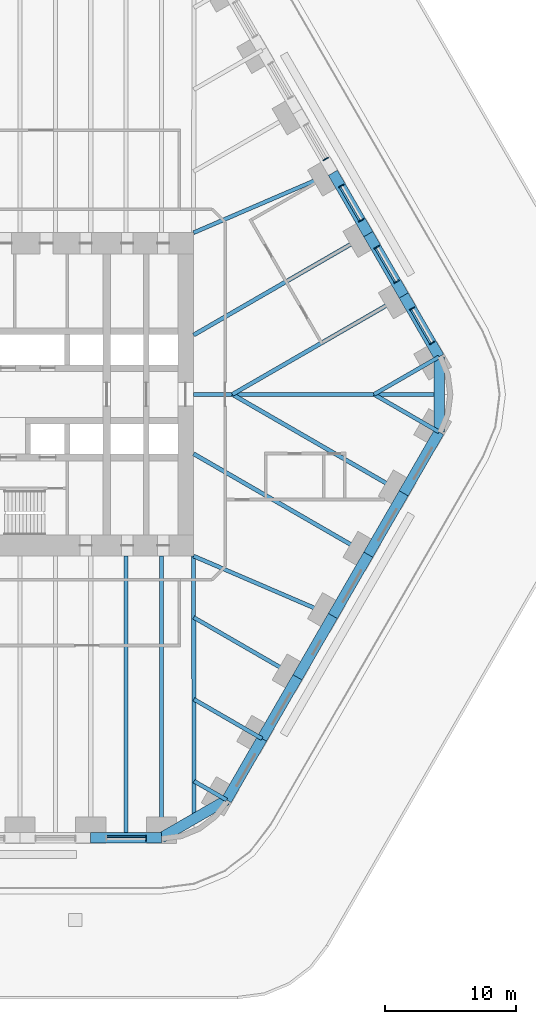
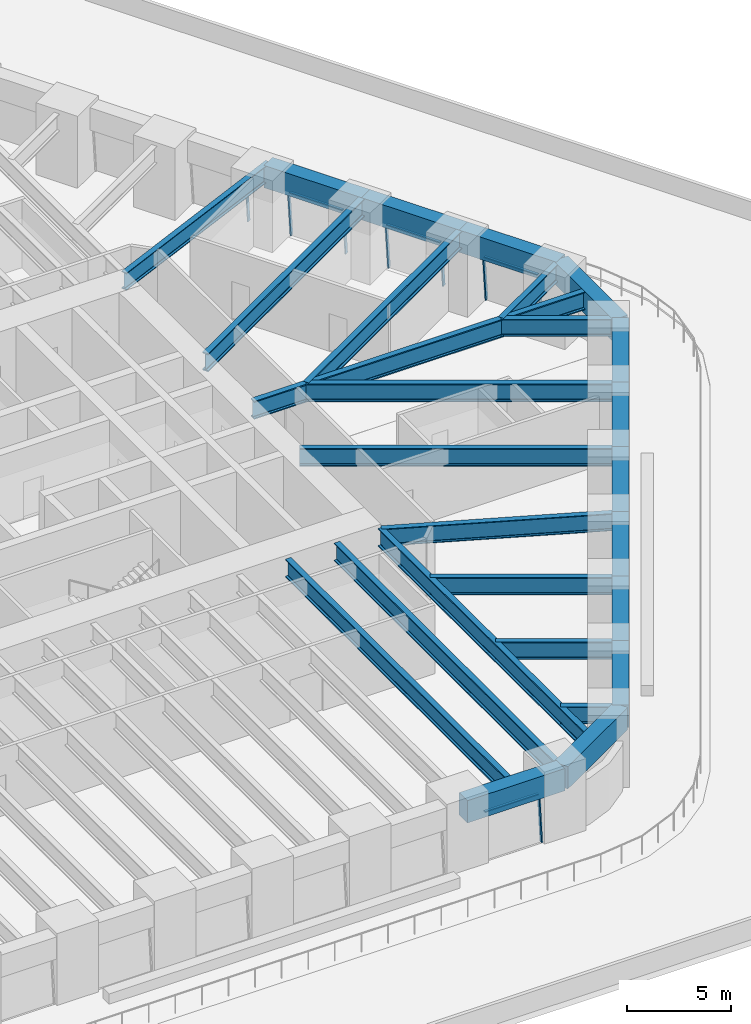
# One storey, part 4 of 17: 27 beams, 12 members, 5 elements without a shape of their own.
"""IFC4 building model written with IfcOpenShell, lengths in metres."""

from ifc_helpers import new_model, si_unit, direction, frame, origin, origin_2d, place, context, subcontext, project, spatial, rectangle, i_section, extrude, material, material_profile, profile_set, type_object, element, aggregate, save


model = new_model("IFC4")

# Units and contexts
model_context = context("Model", 3, precision=1e-05, world=origin(), true_north=direction((0.0, 1.0)))
body_context = subcontext(model_context, "Body", "Model", "MODEL_VIEW")
ifc_project = project(units=[si_unit("LENGTHUNIT", "METRE"), si_unit("AREAUNIT", "SQUARE_METRE"), si_unit("VOLUMEUNIT", "CUBIC_METRE"), si_unit("PLANEANGLEUNIT", "RADIAN"), si_unit("MASSUNIT", "GRAM", prefix="KILO")], contexts=[model_context])

# Site, building, storey
site_placement = place(None, origin())
site = spatial("IfcSite", under=ifc_project, at=site_placement, CompositionType="ELEMENT")
building_placement = place(site_placement, origin())
building = spatial("IfcBuilding", under=site, at=building_placement, Name="Tarfa Lantern Tower", CompositionType="ELEMENT")
storey_placement = place(building_placement, frame((0.0, 0.0, 23.5)))
storey = spatial("IfcBuildingStorey", under=building, at=storey_placement, Name="L04", CompositionType="ELEMENT", Elevation=23.5)

# Curtain wall, members
ifc_material_1 = material(Name="Aluminium framed curtain wall", Category="aluminium")
curtain_wall_type = type_object("IfcCurtainWallType", Name="CW1 CANTED GLAZING LOW ZONE 2700", PredefinedType="USERDEFINED", material=ifc_material_1)
curtain_wall_1_placement = place(storey_placement, origin())
curtain_wall_1 = element("IfcCurtainWall", 1, at=curtain_wall_1_placement, inside=storey, type_object=curtain_wall_type, Name="CW1 NE L04", ObjectType="CURTAIN WALL", PredefinedType="USERDEFINED")
ifc_material_2 = material(Name="Aluminium mullion", Category="aluminium")
ifc_material_profile_1 = material_profile(ifc_material_2, rectangle(XDim=0.06494140625, YDim=0.199951171875, at=origin_2d()), Name="AL MULLION 65x200")
ifc_profile_set_1 = profile_set([ifc_material_profile_1], Name="Aluminium mullion")
member_type_1 = type_object("IfcMemberType", Name="CWM1 MULLION 65x200", PredefinedType="MULLION", material=ifc_profile_set_1)
member_1_placement = place(storey_placement, frame((36.849853515625, 3.97412109375, 0.0), z_axis=(-0.07986442134, -0.046099868913, 0.99573916077), x_axis=(0.499919672301, -0.866071776036, 0.0)))
member_1 = element("IfcMember", 2, at=member_1_placement, type_object=member_type_1, Name="CW1 mullion 1", PredefinedType="MULLION", context=body_context, shape_type="SweptSolid", body=[
    extrude(rectangle(XDim=0.06494140625, YDim=0.199951171875, at=origin_2d()), origin(), (0.0, 0.0, 1.0), 2.71142578125),
])
member_2_placement = place(storey_placement, frame((35.338134765625, 6.592529296875, 0.0), z_axis=(-0.07986442134, -0.046099868913, 0.99573916077), x_axis=(0.499919672301, -0.866071776036, 0.0)))
member_2 = element("IfcMember", 3, at=member_2_placement, type_object=member_type_1, Name="CW1 mullion 2", PredefinedType="MULLION", context=body_context, shape_type="SweptSolid", body=[
    extrude(rectangle(XDim=0.06494140625, YDim=0.199951171875, at=origin_2d()), origin(), (0.0, 0.0, 1.0), 2.71142578125),
])

curtain_wall_2_placement = place(storey_placement, origin())
curtain_wall_2 = element("IfcCurtainWall", 4, at=curtain_wall_2_placement, inside=storey, type_object=curtain_wall_type, Name="CW1 NE L04", ObjectType="CURTAIN WALL", PredefinedType="USERDEFINED")
member_3_placement = place(storey_placement, frame((34.155517578125, 8.640625, 0.0), z_axis=(-0.079774955866, -0.04610020023, 0.995746317068), x_axis=(0.500342721131, -0.865827443207, 0.0)))
member_3 = element("IfcMember", 5, at=member_3_placement, type_object=member_type_1, Name="CW1 mullion 1", PredefinedType="MULLION", context=body_context, shape_type="SweptSolid", body=[
    extrude(rectangle(XDim=0.06494140625, YDim=0.199951171875, at=origin_2d()), origin(), (0.0, 0.0, 1.0), 2.71142578125),
])
member_4_placement = place(storey_placement, frame((32.643798828125, 11.25927734375, 0.0), z_axis=(-0.07986442134, -0.046099868913, 0.99573916077), x_axis=(0.499919672301, -0.866071776036, 0.0)))
member_4 = element("IfcMember", 6, at=member_4_placement, type_object=member_type_1, Name="CW1 mullion 2", PredefinedType="MULLION", context=body_context, shape_type="SweptSolid", body=[
    extrude(rectangle(XDim=0.06494140625, YDim=0.199951171875, at=origin_2d()), origin(), (0.0, 0.0, 1.0), 2.71142578125),
])

curtain_wall_3_placement = place(storey_placement, origin())
curtain_wall_3 = element("IfcCurtainWall", 7, at=curtain_wall_3_placement, inside=storey, type_object=curtain_wall_type, Name="CW1 NE L04", ObjectType="CURTAIN WALL", PredefinedType="USERDEFINED")
member_5_placement = place(storey_placement, frame((31.46142578125, 13.307373046875, 0.0), z_axis=(-0.07986442134, -0.046099868913, 0.99573916077), x_axis=(0.499919672301, -0.866071776036, 0.0)))
member_5 = element("IfcMember", 8, at=member_5_placement, type_object=member_type_1, Name="CW1 mullion 1", PredefinedType="MULLION", context=body_context, shape_type="SweptSolid", body=[
    extrude(rectangle(XDim=0.06494140625, YDim=0.199951171875, at=origin_2d()), origin(), (0.0, 0.0, 1.0), 2.71142578125),
])
member_6_placement = place(storey_placement, frame((29.949462890625, 15.926025390625, 0.0), z_axis=(-0.07986442134, -0.046099868913, 0.99573916077), x_axis=(0.499919672301, -0.866071776036, 0.0)))
member_6 = element("IfcMember", 9, at=member_6_placement, type_object=member_type_1, Name="CW1 mullion 2", PredefinedType="MULLION", context=body_context, shape_type="SweptSolid", body=[
    extrude(rectangle(XDim=0.06494140625, YDim=0.199951171875, at=origin_2d()), origin(), (0.0, 0.0, 1.0), 2.71142578125),
])

# Curtain wall, member
curtain_wall_4_placement = place(storey_placement, origin())
curtain_wall_4 = element("IfcCurtainWall", 10, at=curtain_wall_4_placement, inside=storey, type_object=curtain_wall_type, Name="CW1 NE L04", ObjectType="CURTAIN WALL", PredefinedType="USERDEFINED")
member_7_placement = place(storey_placement, frame((28.76708984375, 17.97412109375, 0.0), z_axis=(-0.07986442134, -0.046099868913, 0.99573916077), x_axis=(0.499919672301, -0.866071776036, 0.0)))
member_7 = element("IfcMember", 11, at=member_7_placement, type_object=member_type_1, Name="CW1 mullion 1", PredefinedType="MULLION", context=body_context, shape_type="SweptSolid", body=[
    extrude(rectangle(XDim=0.06494140625, YDim=0.199951171875, at=origin_2d()), origin(), (0.0, 0.0, 1.0), 2.71142578125),
])
aggregate(curtain_wall_4, [member_7])

curtain_wall_5_placement = place(storey_placement, origin())
curtain_wall_5 = element("IfcCurtainWall", 12, at=curtain_wall_5_placement, inside=storey, type_object=curtain_wall_type, Name="CW1 S L04", ObjectType="CURTAIN WALL", PredefinedType="USERDEFINED")
member_8_placement = place(storey_placement, frame((14.9833984375, -33.89990234375, 0.0), z_axis=(0.0, 0.092199863775, 0.995740520979), x_axis=(-1.0, 0.0, 0.0)))
member_8 = element("IfcMember", 13, at=member_8_placement, type_object=member_type_1, Name="CW1 mullion 2", PredefinedType="MULLION", context=body_context, shape_type="SweptSolid", body=[
    extrude(rectangle(XDim=0.06494140625, YDim=0.199951171875, at=origin_2d()), origin(), (0.0, 0.0, 1.0), 2.71142578125),
])

# Member
ifc_material_3 = material(Name="Aluminium transom", Category="aluminium")
ifc_material_profile_2 = material_profile(ifc_material_3, rectangle(XDim=0.14990234375, YDim=0.06494140625, at=origin_2d()), Name="AL TRANSOM 150x65")
ifc_profile_set_2 = profile_set([ifc_material_profile_2], Name="Aluminium transom")
member_type_2 = type_object("IfcMemberType", Name="CWT1 TRANSOM 150x65", PredefinedType="USERDEFINED", material=ifc_profile_set_2)
member_9_placement = place(storey_placement, frame((36.619873046875, 3.878662109375, 2.66748046875), z_axis=(-0.50004387232, 0.866000072607, 0.0), x_axis=(-0.866000072607, -0.50004387232, 0.0)))
member_9 = element("IfcMember", 14, at=member_9_placement, type_object=member_type_2, Name="CW1 transom 1.2", ObjectType="TRANSOM", PredefinedType="USERDEFINED", context=body_context, shape_type="SweptSolid", body=[
    extrude(rectangle(XDim=0.14990234375, YDim=0.06494140625, at=origin_2d()), origin(), (0.0, 0.0, 1.0), 2.958740234375),
])

aggregate(curtain_wall_1, [member_1, member_2, member_9])

member_10_placement = place(storey_placement, frame((33.925537109375, 8.54541015625, 2.66748046875), z_axis=(-0.50004387232, 0.866000072607, 0.0), x_axis=(-0.866000072607, -0.50004387232, 0.0)))
member_10 = element("IfcMember", 15, at=member_10_placement, type_object=member_type_2, Name="CW1 transom 1.2", ObjectType="TRANSOM", PredefinedType="USERDEFINED", context=body_context, shape_type="SweptSolid", body=[
    extrude(rectangle(XDim=0.14990234375, YDim=0.06494140625, at=origin_2d()), origin(), (0.0, 0.0, 1.0), 2.958740234375),
])

aggregate(curtain_wall_2, [member_3, member_4, member_10])

member_11_placement = place(storey_placement, frame((31.231201171875, 13.212158203125, 2.66748046875), z_axis=(-0.500017718492, 0.866015173767, 0.0), x_axis=(-0.866015173767, -0.500017718492, 0.0)))
member_11 = element("IfcMember", 16, at=member_11_placement, type_object=member_type_2, Name="CW1 transom 1.2", ObjectType="TRANSOM", PredefinedType="USERDEFINED", context=body_context, shape_type="SweptSolid", body=[
    extrude(rectangle(XDim=0.14990234375, YDim=0.06494140625, at=origin_2d()), origin(), (0.0, 0.0, 1.0), 2.95849609375),
])

aggregate(curtain_wall_3, [member_5, member_6, member_11])

member_12_placement = place(storey_placement, frame((11.9921875, -33.653076171875, 2.66748046875), z_axis=(1.0, 0.0, 0.0), x_axis=(0.0, 1.0, 0.0)))
member_12 = element("IfcMember", 17, at=member_12_placement, type_object=member_type_2, Name="CW1 transom 1.2", ObjectType="TRANSOM", PredefinedType="USERDEFINED", context=body_context, shape_type="SweptSolid", body=[
    extrude(rectangle(XDim=0.14990234375, YDim=0.06494140625, at=origin_2d()), origin(), (0.0, 0.0, 1.0), 2.958740234375),
])

aggregate(curtain_wall_5, [member_8, member_12])

# Beams
ifc_material_4 = material(Name="Concrete C80/95", Category="concrete")
ifc_material_profile_3 = material_profile(ifc_material_4, rectangle(XDim=0.800048828125, YDim=1.300048828125, at=origin_2d()), Name="RC 800x1300")
ifc_profile_set_3 = profile_set([ifc_material_profile_3], Name="Concrete C80/95")
beam_type_1 = type_object("IfcBeamType", Name="EB1 RC 800x1300", PredefinedType="SPANDREL", material=ifc_profile_set_3)
beam_1_placement = place(storey_placement, frame((37.285400390625, 2.860107421875, 3.35009765625), z_axis=(-0.500017906299, 0.866015065331, 0.0), x_axis=(-0.866015065331, -0.500017906299, 0.0)))
element("IfcBeam", 18, at=beam_1_placement, inside=storey, type_object=beam_type_1, Name="Edge beam NE0", PredefinedType="SPANDREL", context=body_context, shape_type="SweptSolid", body=[
    extrude(rectangle(XDim=0.800048828125, YDim=1.300048828125, at=origin_2d()), origin(), (0.0, 0.0, 1.0), 5.388427734375),
])
for number, where, z_axis, x_axis, name in (
    (19, (34.591064453125, 7.526611328125, 3.35009765625), (-0.499998287579, 0.866026392449, 0.0), (-0.866026392449, -0.499998287579, 0.0), "Edge beam NE1"),
    (20, (31.896728515625, 12.193359375, 3.35009765625), (-0.499998287579, 0.866026392449, 0.0), (-0.866026392449, -0.499998287579, 0.0), "Edge beam NE2"),
    (21, (10.777099609375, -33.719970703125, 3.35009765625), (1.0, 0.0, 0.0), (0.0, 1.0, 0.0), "Edge beam S5"),
):
    element("IfcBeam", number, at=place(storey_placement, frame(where, z_axis=z_axis, x_axis=x_axis)), inside=storey, type_object=beam_type_1, Name=name, PredefinedType="SPANDREL", context=body_context, shape_type="SweptSolid", body=[
        extrude(rectangle(XDim=0.800048828125, YDim=1.300048828125, at=origin_2d()), origin(), (0.0, 0.0, 1.0), 5.388671875),
    ])
beam_2_placement = place(storey_placement, frame((16.165771484375, -33.719970703125, 3.35009765625), z_axis=(0.866033479681, 0.499986011877, 0.0), x_axis=(-0.499986011877, 0.866033479681, 0.0)))
element("IfcBeam", 22, at=beam_2_placement, inside=storey, type_object=beam_type_1, Name="Edge beam S6", PredefinedType="SPANDREL", context=body_context, shape_type="SweptSolid", body=[
    extrude(rectangle(XDim=0.800048828125, YDim=1.300048828125, at=origin_2d()), origin(), (0.0, 0.0, 1.0), 5.719970703125),
])
for number, where, z_axis, x_axis, name in (
    (23, (21.119384765625, -30.860107421875, 3.35009765625), (0.499998287579, 0.866026392449, 0.0), (-0.866026392449, 0.499998287579, 0.0), "Edge beam SE0"),
    (24, (23.813720703125, -26.193359375, 3.35009765625), (0.499998287579, 0.866026392449, 0.0), (-0.866026392449, 0.499998287579, 0.0), "Edge beam SE1"),
):
    element("IfcBeam", number, at=place(storey_placement, frame(where, z_axis=z_axis, x_axis=x_axis)), inside=storey, type_object=beam_type_1, Name=name, PredefinedType="SPANDREL", context=body_context, shape_type="SweptSolid", body=[
        extrude(rectangle(XDim=0.800048828125, YDim=1.300048828125, at=origin_2d()), origin(), (0.0, 0.0, 1.0), 5.388671875),
    ])
beam_3_placement = place(storey_placement, frame((26.508056640625, -21.526611328125, 3.35009765625), z_axis=(0.500017906299, 0.866015065331, 0.0), x_axis=(-0.866015065331, 0.500017906299, 0.0)))
element("IfcBeam", 25, at=beam_3_placement, inside=storey, type_object=beam_type_1, Name="Edge beam SE2", PredefinedType="SPANDREL", context=body_context, shape_type="SweptSolid", body=[
    extrude(rectangle(XDim=0.800048828125, YDim=1.300048828125, at=origin_2d()), origin(), (0.0, 0.0, 1.0), 5.388427734375),
])
for number, where, z_axis, x_axis, name in (
    (26, (29.202392578125, -16.860107421875, 3.35009765625), (0.499998287579, 0.866026392449, 0.0), (-0.866026392449, 0.499998287579, 0.0), "Edge beam SE3"),
    (27, (31.896728515625, -12.193359375, 3.35009765625), (0.499998287579, 0.866026392449, 0.0), (-0.866026392449, 0.499998287579, 0.0), "Edge beam SE4"),
):
    element("IfcBeam", number, at=place(storey_placement, frame(where, z_axis=z_axis, x_axis=x_axis)), inside=storey, type_object=beam_type_1, Name=name, PredefinedType="SPANDREL", context=body_context, shape_type="SweptSolid", body=[
        extrude(rectangle(XDim=0.800048828125, YDim=1.300048828125, at=origin_2d()), origin(), (0.0, 0.0, 1.0), 5.388671875),
    ])
beam_4_placement = place(storey_placement, frame((34.591064453125, -7.526611328125, 3.35009765625), z_axis=(0.500017906299, 0.866015065331, 0.0), x_axis=(-0.866015065331, 0.500017906299, 0.0)))
element("IfcBeam", 28, at=beam_4_placement, inside=storey, type_object=beam_type_1, Name="Edge beam SE5", PredefinedType="SPANDREL", context=body_context, shape_type="SweptSolid", body=[
    extrude(rectangle(XDim=0.800048828125, YDim=1.300048828125, at=origin_2d()), origin(), (0.0, 0.0, 1.0), 5.388427734375),
])
beam_5_placement = place(storey_placement, frame((37.285400390625, -2.860107421875, 3.35009765625), z_axis=(0.0, 1.0, 0.0), x_axis=(-1.0, 0.0, 0.0)))
element("IfcBeam", 29, at=beam_5_placement, inside=storey, type_object=beam_type_1, Name="Edge beam SE6", PredefinedType="SPANDREL", context=body_context, shape_type="SweptSolid", body=[
    extrude(rectangle(XDim=0.800048828125, YDim=1.300048828125, at=origin_2d()), origin(), (0.0, 0.0, 1.0), 5.72021484375),
])
ifc_material_5 = material(Name="Steel S460M", Category="steel")
ifc_material_profile_4 = material_profile(ifc_material_5, i_section(OverallWidth=0.302001953125, OverallDepth=1.008056640625, WebThickness=0.02099609375, FlangeThickness=0.0400390625, FilletRadius=0.030029296875, at=origin_2d()), Name="UB1016x305x349")
ifc_profile_set_4 = profile_set([ifc_material_profile_4], Name="Steel S460M")
beam_type_2 = type_object("IfcBeamType", Name="UB1016x305x349", PredefinedType="BEAM", material=ifc_profile_set_4)
beam_6_placement = place(storey_placement, frame((37.285400390625, 2.860107421875, 3.495849609375), z_axis=(-0.866025668288, -0.499999541866, 0.0), x_axis=(0.499999541866, -0.866025668288, 0.0)))
element("IfcBeam", 30, at=beam_6_placement, inside=storey, type_object=beam_type_2, Name="Floor beam NE0", PredefinedType="BEAM", context=body_context, shape_type="SweptSolid", body=[
    extrude(i_section(OverallWidth=0.302001953125, OverallDepth=1.008056640625, WebThickness=0.02099609375, FlangeThickness=0.0400390625, FilletRadius=0.030029296875, at=origin_2d()), origin(), (0.0, 0.0, 1.0), 5.72021484375),
])
beam_7_placement = place(storey_placement, frame((29.202392578125, 16.860107421875, 3.495849609375), z_axis=(-0.918635483867, -0.395106122175, 0.0), x_axis=(0.395106122175, -0.918635483867, 0.0)))
element("IfcBeam", 31, at=beam_7_placement, inside=storey, type_object=beam_type_2, Name="Floor beam NE3", PredefinedType="BEAM", context=body_context, shape_type="SweptSolid", body=[
    extrude(i_section(OverallWidth=0.302001953125, OverallDepth=1.008056640625, WebThickness=0.02099609375, FlangeThickness=0.0400390625, FilletRadius=0.030029296875, at=origin_2d()), origin(), (0.0, 0.0, 1.0), 11.541259765625),
])
beam_8_placement = place(storey_placement, frame((21.119384765625, -30.860107421875, 3.495849609375), z_axis=(-0.866012580594, 0.500022209759, 0.0), x_axis=(-0.500022209759, -0.866012580594, 0.0)))
element("IfcBeam", 32, at=beam_8_placement, inside=storey, type_object=beam_type_2, Name="Floor beam SE0", PredefinedType="BEAM", context=body_context, shape_type="SweptSolid", body=[
    extrude(i_section(OverallWidth=0.302001953125, OverallDepth=1.008056640625, WebThickness=0.02099609375, FlangeThickness=0.0400390625, FilletRadius=0.030029296875, at=origin_2d()), origin(), (0.0, 0.0, 1.0), 2.866943359375),
])
beam_9_placement = place(storey_placement, frame((23.813720703125, -26.193359375, 3.495849609375), z_axis=(-0.866015997389, 0.500016292001, 0.0), x_axis=(-0.500016292001, -0.866015997389, 0.0)))
element("IfcBeam", 33, at=beam_9_placement, inside=storey, type_object=beam_type_2, Name="Floor beam SE1", PredefinedType="BEAM", context=body_context, shape_type="SweptSolid", body=[
    extrude(i_section(OverallWidth=0.302001953125, OverallDepth=1.008056640625, WebThickness=0.02099609375, FlangeThickness=0.0400390625, FilletRadius=0.030029296875, at=origin_2d()), origin(), (0.0, 0.0, 1.0), 5.993408203125),
])
beam_10_placement = place(storey_placement, frame((26.508056640625, -21.526611328125, 3.495849609375), z_axis=(-0.866035355799, 0.49998276221, 0.0), x_axis=(-0.49998276221, -0.866035355799, 0.0)))
element("IfcBeam", 34, at=beam_10_placement, inside=storey, type_object=beam_type_2, Name="Floor beam SE2", PredefinedType="BEAM", context=body_context, shape_type="SweptSolid", body=[
    extrude(i_section(OverallWidth=0.302001953125, OverallDepth=1.008056640625, WebThickness=0.02099609375, FlangeThickness=0.0400390625, FilletRadius=0.030029296875, at=origin_2d()), origin(), (0.0, 0.0, 1.0), 9.119873046875),
])
beam_11_placement = place(storey_placement, frame((29.202392578125, -16.860107421875, 3.495849609375), z_axis=(-0.918635483867, 0.395106122175, 0.0), x_axis=(-0.395106122175, -0.918635483867, 0.0)))
element("IfcBeam", 35, at=beam_11_placement, inside=storey, type_object=beam_type_2, Name="Floor beam SE3", PredefinedType="BEAM", context=body_context, shape_type="SweptSolid", body=[
    extrude(i_section(OverallWidth=0.302001953125, OverallDepth=1.008056640625, WebThickness=0.02099609375, FlangeThickness=0.0400390625, FilletRadius=0.030029296875, at=origin_2d()), origin(), (0.0, 0.0, 1.0), 11.541259765625),
])
beam_12_placement = place(storey_placement, frame((37.285400390625, -2.860107421875, 3.495849609375), z_axis=(-0.866025668288, 0.499999541866, 0.0), x_axis=(-0.499999541866, -0.866025668288, 0.0)))
element("IfcBeam", 36, at=beam_12_placement, inside=storey, type_object=beam_type_2, Name="Floor beam SE6", PredefinedType="BEAM", context=body_context, shape_type="SweptSolid", body=[
    extrude(i_section(OverallWidth=0.302001953125, OverallDepth=1.008056640625, WebThickness=0.02099609375, FlangeThickness=0.0400390625, FilletRadius=0.030029296875, at=origin_2d()), origin(), (0.0, 0.0, 1.0), 5.72021484375),
])
ifc_material_profile_5 = material_profile(ifc_material_5, i_section(OverallWidth=0.314208984375, OverallDepth=1.055908203125, WebThickness=0.035888671875, FlangeThickness=0.06396484375, FilletRadius=0.030029296875, at=origin_2d()), Name="UB1016x305x584")
ifc_profile_set_5 = profile_set([ifc_material_profile_5], Name="Steel S460M")
beam_type_3 = type_object("IfcBeamType", Name="UB1016x305x584", PredefinedType="BEAM", material=ifc_profile_set_5)
beam_13_placement = place(storey_placement, frame((18.60009765625, 0.0, 3.471923828125), z_axis=(1.0, 0.0, 0.0), x_axis=(0.0, 1.0, 0.0)))
element("IfcBeam", 37, at=beam_13_placement, inside=storey, type_object=beam_type_3, Name="Hip girder E", PredefinedType="BEAM", context=body_context, shape_type="SweptSolid", body=[
    extrude(i_section(OverallWidth=0.314208984375, OverallDepth=1.055908203125, WebThickness=0.035888671875, FlangeThickness=0.06396484375, FilletRadius=0.030029296875, at=origin_2d()), origin(), (0.0, 0.0, 1.0), 18.685302734375),
])
beam_14_placement = place(storey_placement, frame((18.60009765625, -12.300048828125, 3.471923828125), z_axis=(0.00212508222, -0.99999774201, 0.0), x_axis=(0.99999774201, 0.00212508222, 0.0)))
element("IfcBeam", 38, at=beam_14_placement, inside=storey, type_object=beam_type_3, Name="Hip girder SE", PredefinedType="BEAM", context=body_context, shape_type="SweptSolid", body=[
    extrude(i_section(OverallWidth=0.314208984375, OverallDepth=1.055908203125, WebThickness=0.035888671875, FlangeThickness=0.06396484375, FilletRadius=0.030029296875, at=origin_2d()), origin(), (0.0, 0.0, 1.0), 19.989990234375),
])
beam_15_placement = place(storey_placement, frame((34.591064453125, 7.526611328125, 3.471923828125), z_axis=(-0.86602785945, -0.499995746638, 0.0), x_axis=(0.499995746638, -0.86602785945, 0.0)))
element("IfcBeam", 39, at=beam_15_placement, inside=storey, type_object=beam_type_3, Name="Floor beam NE1", PredefinedType="BEAM", context=body_context, shape_type="SweptSolid", body=[
    extrude(i_section(OverallWidth=0.314208984375, OverallDepth=1.055908203125, WebThickness=0.035888671875, FlangeThickness=0.06396484375, FilletRadius=0.030029296875, at=origin_2d()), origin(), (0.0, 0.0, 1.0), 15.053466796875),
])
beam_16_placement = place(storey_placement, frame((31.896728515625, 12.193359375, 3.471923828125), z_axis=(-0.866026971665, -0.499997284341, 0.0), x_axis=(0.499997284341, -0.866026971665, 0.0)))
element("IfcBeam", 40, at=beam_16_placement, inside=storey, type_object=beam_type_3, Name="Floor beam NE2", PredefinedType="BEAM", context=body_context, shape_type="SweptSolid", body=[
    extrude(i_section(OverallWidth=0.314208984375, OverallDepth=1.055908203125, WebThickness=0.035888671875, FlangeThickness=0.06396484375, FilletRadius=0.030029296875, at=origin_2d()), origin(), (0.0, 0.0, 1.0), 15.353515625),
])
beam_17_placement = place(storey_placement, frame((16.165771484375, -33.719970703125, 3.471923828125), z_axis=(0.0, 1.0, 0.0), x_axis=(-1.0, 0.0, 0.0)))
element("IfcBeam", 41, at=beam_17_placement, inside=storey, type_object=beam_type_3, Name="Floor beam S6", PredefinedType="BEAM", context=body_context, shape_type="SweptSolid", body=[
    extrude(i_section(OverallWidth=0.314208984375, OverallDepth=1.055908203125, WebThickness=0.035888671875, FlangeThickness=0.06396484375, FilletRadius=0.030029296875, at=origin_2d()), origin(), (0.0, 0.0, 1.0), 21.419921875),
])
beam_18_placement = place(storey_placement, frame((31.896728515625, -12.193359375, 3.471923828125), z_axis=(-0.866026971665, 0.499997284341, 0.0), x_axis=(-0.499997284341, -0.866026971665, 0.0)))
element("IfcBeam", 42, at=beam_18_placement, inside=storey, type_object=beam_type_3, Name="Floor beam SE4", PredefinedType="BEAM", context=body_context, shape_type="SweptSolid", body=[
    extrude(i_section(OverallWidth=0.314208984375, OverallDepth=1.055908203125, WebThickness=0.035888671875, FlangeThickness=0.06396484375, FilletRadius=0.030029296875, at=origin_2d()), origin(), (0.0, 0.0, 1.0), 15.353515625),
])
beam_19_placement = place(storey_placement, frame((34.591064453125, -7.526611328125, 3.471923828125), z_axis=(-0.86602785945, 0.499995746638, 0.0), x_axis=(-0.499995746638, -0.86602785945, 0.0)))
element("IfcBeam", 43, at=beam_19_placement, inside=storey, type_object=beam_type_3, Name="Floor beam SE5", PredefinedType="BEAM", context=body_context, shape_type="SweptSolid", body=[
    extrude(i_section(OverallWidth=0.314208984375, OverallDepth=1.055908203125, WebThickness=0.035888671875, FlangeThickness=0.06396484375, FilletRadius=0.030029296875, at=origin_2d()), origin(), (0.0, 0.0, 1.0), 15.053466796875),
])
beam_20_placement = place(storey_placement, frame((13.471435546875, -33.719970703125, 3.471923828125), z_axis=(0.0, 1.0, 0.0), x_axis=(-1.0, 0.0, 0.0)))
element("IfcBeam", 44, at=beam_20_placement, inside=storey, type_object=beam_type_3, Name="Floor beam S5M", PredefinedType="BEAM", context=body_context, shape_type="SweptSolid", body=[
    extrude(i_section(OverallWidth=0.314208984375, OverallDepth=1.055908203125, WebThickness=0.035888671875, FlangeThickness=0.06396484375, FilletRadius=0.030029296875, at=origin_2d()), origin(), (0.0, 0.0, 1.0), 21.419921875),
])

save(model, "model.ifc")
